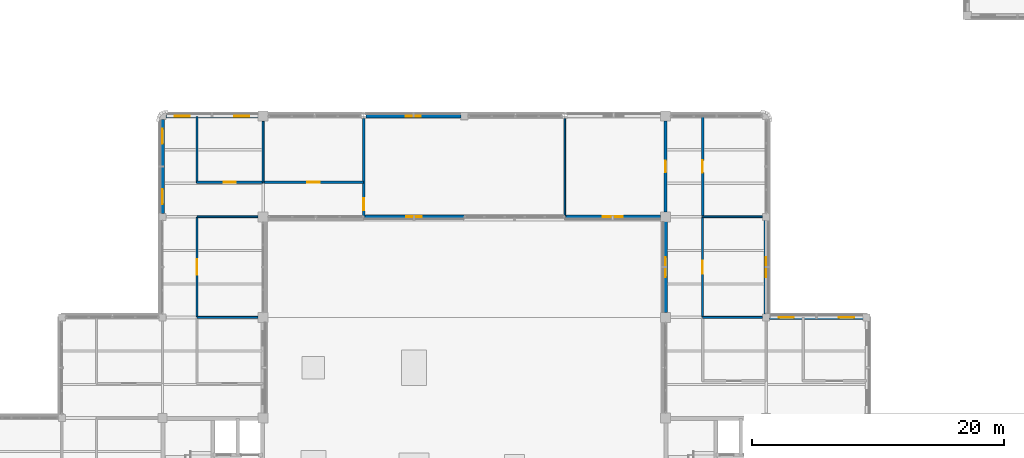
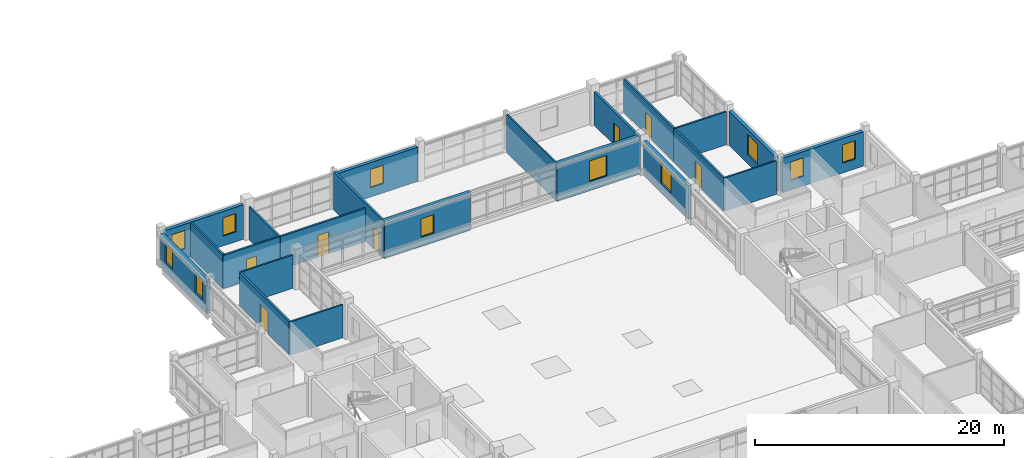
# One storey, part 81 of 107: 22 walls, 11 windows, 7 doors, 18 openings.
"""IFC4 building model written with IfcOpenShell, lengths in metres."""

from ifc_helpers import new_model, si_unit, derived_unit, direction, frame, frame_2d, origin, place, context, subcontext, project, spatial, rectangle, extrude, material, layer, layer_set, type_object, element, fill, save


model = new_model("IFC4")

# Units and contexts
model_context = context("Model", 3, precision=1e-05, world=origin(), true_north=direction((0.0, 1.0)))
body_context = subcontext(model_context, "Body", "Model", "MODEL_VIEW")
ifc_project = project(units=[si_unit("LENGTHUNIT", "METRE"), si_unit("AREAUNIT", "SQUARE_METRE"), si_unit("VOLUMEUNIT", "CUBIC_METRE"), si_unit("PLANEANGLEUNIT", "RADIAN"), si_unit("MASSUNIT", "GRAM", prefix="KILO"), derived_unit("THERMALTRANSMITTANCEUNIT", [(si_unit("MASSUNIT", "GRAM", prefix="KILO"), 1), (si_unit("TIMEUNIT", "SECOND"), -3), (si_unit("THERMODYNAMICTEMPERATUREUNIT", "KELVIN"), -1)])], contexts=[model_context])

# Site, building, storey
site_placement = place(None, origin())
site = spatial("IfcSite", under=ifc_project, at=site_placement, CompositionType="ELEMENT")
building_placement = place(site_placement, origin())
building = spatial("IfcBuilding", under=site, at=building_placement, Name="Veyamyaing Civic Hall", CompositionType="ELEMENT")
storey_placement = place(building_placement, frame((0.0, 0.0, 13.860107421875)))
storey = spatial("IfcBuildingStorey", under=building, at=storey_placement, Name="L03", CompositionType="ELEMENT", Elevation=13.860107421875)

# Wall, openings, windows
ifc_material_1 = material(Name="Precast concrete C40/50", Category="concrete")
ifc_layer_1 = layer(ifc_material_1, 0.304931640625, Name="Precast concrete C40/50")
ifc_layer_set_1 = layer_set([ifc_layer_1], Name="Precast concrete C40/50")
wall_type_1 = type_object("IfcWallType", Name="WT-03", PredefinedType="SOLIDWALL", material=ifc_layer_set_1)
wall_1_placement = place(storey_placement, frame((64.260009765625, 80.0, 0.0), z_axis=(0.0, 0.0, 1.0), x_axis=(1.0, 0.0, 0.0)))
wall_1 = element("IfcWall", 1, at=wall_1_placement, inside=storey, type_object=wall_type_1, Name="Exterior facade wall WT-03 L03 N 9.10", PredefinedType="SOLIDWALL", context=body_context, shape_type="SweptSolid", body=[
    extrude(rectangle(XDim=7.35498046875, YDim=0.304931640625, at=frame_2d((3.677490234375, 0.0))), origin(), (0.0, 0.0, 1.0), 3.364013671875),
])
opening_1_placement = place(wall_1_placement, frame((0.723876953125, 0.0, 0.949951171875)))
opening_1 = element("IfcOpeningElement", 2, at=opening_1_placement, cuts=wall_1, Name="Opening W-14", PredefinedType="OPENING", context=body_context, shape_type="SweptSolid", body=[
    extrude(rectangle(XDim=1.199951171875, YDim=1.800048828125, at=frame_2d((0.60009765625, 0.89990234375))), frame((0.0, 0.162353515625, 0.0), z_axis=(0.0, -1.0, 0.0), x_axis=(1.0, 0.0, 0.0)), (0.0, 0.0, 1.0), 0.324951171875),
])
opening_2_placement = place(wall_1_placement, frame((5.43115234375, 0.0, 0.949951171875)))
opening_2 = element("IfcOpeningElement", 3, at=opening_2_placement, cuts=wall_1, Name="Opening W-14", PredefinedType="OPENING", context=body_context, shape_type="SweptSolid", body=[
    extrude(rectangle(XDim=1.199951171875, YDim=1.800048828125, at=frame_2d((0.60009765625, 0.89990234375))), frame((0.0, 0.162353515625, 0.0), z_axis=(0.0, -1.0, 0.0), x_axis=(1.0, 0.0, 0.0)), (0.0, 0.0, 1.0), 0.324951171875),
])
ifc_material_2 = material(Name="Low-E insulated glass", Category="glass")
window_type_1 = type_object("IfcWindowType", Name="W-14", PartitioningType="SINGLE_PANEL", PredefinedType="WINDOW", material=ifc_material_2)
window_1_placement = place(opening_1_placement, origin())
window_1 = element("IfcWindow", 4, at=window_1_placement, inside=storey, type_object=window_type_1, Name="Facade window W-14 L03 N 9.10.1", OverallHeight=1.800048828125, OverallWidth=1.199951171875, PartitioningType="SINGLE_PANEL", PredefinedType="WINDOW", context=body_context, shape_type="SweptSolid", body=[
    extrude(rectangle(XDim=1.199951171875, YDim=1.800048828125, at=frame_2d((0.60009765625, 0.89990234375))), frame((0.0, 0.030029296875, 0.0), z_axis=(0.0, -1.0, 0.0), x_axis=(1.0, 0.0, 0.0)), (0.0, 0.0, 1.0), 0.06005859375),
])
fill(opening_1, window_1)
window_2_placement = place(opening_2_placement, origin())
window_2 = element("IfcWindow", 5, at=window_2_placement, inside=storey, type_object=window_type_1, Name="Facade window W-14 L03 N 9.10.2", OverallHeight=1.800048828125, OverallWidth=1.199951171875, PartitioningType="SINGLE_PANEL", PredefinedType="WINDOW", context=body_context, shape_type="SweptSolid", body=[
    extrude(rectangle(XDim=1.199951171875, YDim=1.800048828125, at=frame_2d((0.60009765625, 0.89990234375))), frame((0.0, 0.030029296875, 0.0), z_axis=(0.0, -1.0, 0.0), x_axis=(1.0, 0.0, 0.0)), (0.0, 0.0, 1.0), 0.06005859375),
])
fill(opening_2, window_2)

wall_2_placement = place(storey_placement, frame((64.0, 72.260009765625, 0.0), z_axis=(0.0, 0.0, 1.0), x_axis=(0.0, 1.0, 0.0)))
wall_2 = element("IfcWall", 6, at=wall_2_placement, inside=storey, type_object=wall_type_1, Name="Exterior facade wall WT-03 L03 W 9.10", PredefinedType="SOLIDWALL", context=body_context, shape_type="SweptSolid", body=[
    extrude(rectangle(XDim=7.47998046875, YDim=0.304931640625, at=frame_2d((3.739990234375, 0.0))), origin(), (0.0, 0.0, 1.0), 3.2998046875),
])
opening_3_placement = place(wall_2_placement, frame((0.746337890625, 0.0, 0.949951171875)))
opening_3 = element("IfcOpeningElement", 7, at=opening_3_placement, cuts=wall_2, Name="Opening W-14", PredefinedType="OPENING", context=body_context, shape_type="SweptSolid", body=[
    extrude(rectangle(XDim=1.199951171875, YDim=1.800048828125, at=frame_2d((0.60009765625, 0.89990234375))), frame((0.0, 0.162353515625, 0.0), z_axis=(0.0, -1.0, 0.0), x_axis=(1.0, 0.0, 0.0)), (0.0, 0.0, 1.0), 0.324951171875),
])
opening_4_placement = place(wall_2_placement, frame((5.53369140625, 0.0, 0.949951171875)))
opening_4 = element("IfcOpeningElement", 8, at=opening_4_placement, cuts=wall_2, Name="Opening W-14", PredefinedType="OPENING", context=body_context, shape_type="SweptSolid", body=[
    extrude(rectangle(XDim=1.199951171875, YDim=1.800048828125, at=frame_2d((0.60009765625, 0.89990234375))), frame((0.0, 0.162353515625, 0.0), z_axis=(0.0, -1.0, 0.0), x_axis=(1.0, 0.0, 0.0)), (0.0, 0.0, 1.0), 0.324951171875),
])
window_3_placement = place(opening_3_placement, origin())
window_3 = element("IfcWindow", 9, at=window_3_placement, inside=storey, type_object=window_type_1, Name="Facade window W-14 L03 W 9.10.1", OverallHeight=1.800048828125, OverallWidth=1.199951171875, PartitioningType="SINGLE_PANEL", PredefinedType="WINDOW", context=body_context, shape_type="SweptSolid", body=[
    extrude(rectangle(XDim=1.199951171875, YDim=1.800048828125, at=frame_2d((0.60009765625, 0.89990234375))), frame((0.0, 0.030029296875, 0.0), z_axis=(0.0, -1.0, 0.0), x_axis=(1.0, 0.0, 0.0)), (0.0, 0.0, 1.0), 0.06005859375),
])
fill(opening_3, window_3)
window_4_placement = place(opening_4_placement, origin())
window_4 = element("IfcWindow", 10, at=window_4_placement, inside=storey, type_object=window_type_1, Name="Facade window W-14 L03 W 9.10.2", OverallHeight=1.800048828125, OverallWidth=1.199951171875, PartitioningType="SINGLE_PANEL", PredefinedType="WINDOW", context=body_context, shape_type="SweptSolid", body=[
    extrude(rectangle(XDim=1.199951171875, YDim=1.800048828125, at=frame_2d((0.60009765625, 0.89990234375))), frame((0.0, 0.030029296875, 0.0), z_axis=(0.0, -1.0, 0.0), x_axis=(1.0, 0.0, 0.0)), (0.0, 0.0, 1.0), 0.06005859375),
])
fill(opening_4, window_4)

# Wall, opening, window
wall_3_placement = place(storey_placement, frame((80.0, 72.0, 0.0), z_axis=(0.0, 0.0, 1.0), x_axis=(1.0, 0.0, 0.0)))
wall_3 = element("IfcWall", 11, at=wall_3_placement, inside=storey, type_object=wall_type_1, Name="Exterior facade wall WT-03 L03 S 11.10", PredefinedType="SOLIDWALL", context=body_context, shape_type="SweptSolid", body=[
    extrude(rectangle(XDim=8.0, YDim=0.304931640625, at=frame_2d((4.0, 0.0))), origin(), (0.0, 0.0, 1.0), 3.724853515625),
])
opening_5_placement = place(wall_3_placement, frame((3.39990234375, 0.0, 0.89990234375)))
opening_5 = element("IfcOpeningElement", 12, at=opening_5_placement, cuts=wall_3, Name="Opening W-14", PredefinedType="OPENING", context=body_context, shape_type="SweptSolid", body=[
    extrude(rectangle(XDim=1.199951171875, YDim=1.800048828125, at=frame_2d((0.60009765625, 0.89990234375))), frame((0.0, 0.162353515625, 0.0), z_axis=(0.0, -1.0, 0.0), x_axis=(1.0, 0.0, 0.0)), (0.0, 0.0, 1.0), 0.324951171875),
])
window_5_placement = place(opening_5_placement, origin())
window_5 = element("IfcWindow", 13, at=window_5_placement, inside=storey, type_object=window_type_1, Name="Facade window W-14 L03 S 11.10", OverallHeight=1.800048828125, OverallWidth=1.199951171875, PartitioningType="SINGLE_PANEL", PredefinedType="WINDOW", context=body_context, shape_type="SweptSolid", body=[
    extrude(rectangle(XDim=1.199951171875, YDim=1.800048828125, at=frame_2d((0.60009765625, 0.89990234375))), frame((0.0, 0.030029296875, 0.0), z_axis=(0.0, -1.0, 0.0), x_axis=(1.0, 0.0, 0.0)), (0.0, 0.0, 1.0), 0.06005859375),
])
fill(opening_5, window_5)

wall_4_placement = place(storey_placement, frame((80.16943359375, 80.0, 0.0), z_axis=(0.0, 0.0, 1.0), x_axis=(1.0, 0.0, 0.0)))
wall_4 = element("IfcWall", 14, at=wall_4_placement, inside=storey, type_object=wall_type_1, Name="Exterior facade wall WT-03 L03 N 11.10", PredefinedType="SOLIDWALL", context=body_context, shape_type="SweptSolid", body=[
    extrude(rectangle(XDim=7.570556640625, YDim=0.304931640625, at=frame_2d((3.78515625, 0.0))), origin(), (0.0, 0.0, 1.0), 3.36181640625),
])
opening_6_placement = place(wall_4_placement, frame((3.185302734375, 0.0, 0.89990234375)))
opening_6 = element("IfcOpeningElement", 15, at=opening_6_placement, cuts=wall_4, Name="Opening W-14", PredefinedType="OPENING", context=body_context, shape_type="SweptSolid", body=[
    extrude(rectangle(XDim=1.199951171875, YDim=1.800048828125, at=frame_2d((0.60009765625, 0.89990234375))), frame((0.0, 0.162353515625, 0.0), z_axis=(0.0, -1.0, 0.0), x_axis=(1.0, 0.0, 0.0)), (0.0, 0.0, 1.0), 0.324951171875),
])
window_6_placement = place(opening_6_placement, origin())
window_6 = element("IfcWindow", 16, at=window_6_placement, inside=storey, type_object=window_type_1, Name="Facade window W-14 L03 N 11.10", OverallHeight=1.800048828125, OverallWidth=1.199951171875, PartitioningType="SINGLE_PANEL", PredefinedType="WINDOW", context=body_context, shape_type="SweptSolid", body=[
    extrude(rectangle(XDim=1.199951171875, YDim=1.800048828125, at=frame_2d((0.60009765625, 0.89990234375))), frame((0.0, 0.030029296875, 0.0), z_axis=(0.0, -1.0, 0.0), x_axis=(1.0, 0.0, 0.0)), (0.0, 0.0, 1.0), 0.06005859375),
])
fill(opening_6, window_6)

wall_5_placement = place(storey_placement, frame((96.0, 72.0, 0.0), z_axis=(0.0, 0.0, 1.0), x_axis=(1.0, 0.0, 0.0)))
wall_5 = element("IfcWall", 17, at=wall_5_placement, inside=storey, type_object=wall_type_1, Name="Exterior facade wall WT-03 L03 S 13.10", PredefinedType="SOLIDWALL", context=body_context, shape_type="SweptSolid", body=[
    extrude(rectangle(XDim=7.614990234375, YDim=0.304931640625, at=frame_2d((3.8076171875, 0.0))), origin(), (0.0, 0.0, 1.0), 3.724853515625),
])
opening_7_placement = place(wall_5_placement, frame((3.007568359375, 0.0, 0.89990234375)))
opening_7 = element("IfcOpeningElement", 18, at=opening_7_placement, cuts=wall_5, Name="Opening W-11", PredefinedType="OPENING", context=body_context, shape_type="SweptSolid", body=[
    extrude(rectangle(XDim=1.60009765625, YDim=2.0, at=frame_2d((0.800048828125, 1.0))), frame((0.0, 0.162353515625, 0.0), z_axis=(0.0, -1.0, 0.0), x_axis=(1.0, 0.0, 0.0)), (0.0, 0.0, 1.0), 0.324951171875),
])
window_type_2 = type_object("IfcWindowType", Name="W-11", PartitioningType="SINGLE_PANEL", PredefinedType="WINDOW", material=ifc_material_2)
window_7_placement = place(opening_7_placement, origin())
window_7 = element("IfcWindow", 19, at=window_7_placement, inside=storey, type_object=window_type_2, Name="Facade window W-11 L03 S 13.10", OverallHeight=2.0, OverallWidth=1.60009765625, PartitioningType="SINGLE_PANEL", PredefinedType="WINDOW", context=body_context, shape_type="SweptSolid", body=[
    extrude(rectangle(XDim=1.60009765625, YDim=2.0, at=frame_2d((0.800048828125, 1.0))), frame((0.0, 0.030029296875, 0.0), z_axis=(0.0, -1.0, 0.0), x_axis=(1.0, 0.0, 0.0)), (0.0, 0.0, 1.0), 0.06005859375),
])
fill(opening_7, window_7)

wall_6_placement = place(storey_placement, frame((104.0, 64.385009765625, 0.0), z_axis=(0.0, 0.0, 1.0), x_axis=(0.0, 1.0, 0.0)))
wall_6 = element("IfcWall", 20, at=wall_6_placement, inside=storey, type_object=wall_type_1, Name="Exterior facade wall WT-03 L03 W 14.9", PredefinedType="SOLIDWALL", context=body_context, shape_type="SweptSolid", body=[
    extrude(rectangle(XDim=7.22998046875, YDim=0.304931640625, at=frame_2d((3.614990234375, 0.0))), origin(), (0.0, 0.0, 1.0), 3.2998046875),
])
opening_8_placement = place(wall_6_placement, frame((2.81494140625, 0.0, 0.89990234375)))
opening_8 = element("IfcOpeningElement", 21, at=opening_8_placement, cuts=wall_6, Name="Opening W-11", PredefinedType="OPENING", context=body_context, shape_type="SweptSolid", body=[
    extrude(rectangle(XDim=1.60009765625, YDim=2.0, at=frame_2d((0.800048828125, 1.0))), frame((0.0, 0.162353515625, 0.0), z_axis=(0.0, -1.0, 0.0), x_axis=(1.0, 0.0, 0.0)), (0.0, 0.0, 1.0), 0.324951171875),
])
window_8_placement = place(opening_8_placement, origin())
window_8 = element("IfcWindow", 22, at=window_8_placement, inside=storey, type_object=window_type_2, Name="Facade window W-11 L03 W 14.9", OverallHeight=2.0, OverallWidth=1.60009765625, PartitioningType="SINGLE_PANEL", PredefinedType="WINDOW", context=body_context, shape_type="SweptSolid", body=[
    extrude(rectangle(XDim=1.60009765625, YDim=2.0, at=frame_2d((0.800048828125, 1.0))), frame((0.0, 0.030029296875, 0.0), z_axis=(0.0, -1.0, 0.0), x_axis=(1.0, 0.0, 0.0)), (0.0, 0.0, 1.0), 0.06005859375),
])
fill(opening_8, window_8)

wall_7_placement = place(storey_placement, frame((112.0, 64.260009765625, 0.0), z_axis=(0.0, 0.0, 1.0), x_axis=(0.0, 1.0, 0.0)))
wall_7 = element("IfcWall", 23, at=wall_7_placement, inside=storey, type_object=wall_type_1, Name="Exterior facade wall WT-03 L03 E 14.9", PredefinedType="SOLIDWALL", context=body_context, shape_type="SweptSolid", body=[
    extrude(rectangle(XDim=7.47998046875, YDim=0.304931640625, at=frame_2d((3.739990234375, 0.0))), origin(), (0.0, 0.0, 1.0), 3.364013671875),
])
opening_9_placement = place(wall_7_placement, frame((2.93994140625, 0.0, 0.89990234375)))
opening_9 = element("IfcOpeningElement", 24, at=opening_9_placement, cuts=wall_7, Name="Opening W-11", PredefinedType="OPENING", context=body_context, shape_type="SweptSolid", body=[
    extrude(rectangle(XDim=1.60009765625, YDim=2.0, at=frame_2d((0.800048828125, 1.0))), frame((0.0, 0.162353515625, 0.0), z_axis=(0.0, -1.0, 0.0), x_axis=(1.0, 0.0, 0.0)), (0.0, 0.0, 1.0), 0.324951171875),
])
window_9_placement = place(opening_9_placement, origin())
window_9 = element("IfcWindow", 25, at=window_9_placement, inside=storey, type_object=window_type_2, Name="Facade window W-11 L03 E 14.9", OverallHeight=2.0, OverallWidth=1.60009765625, PartitioningType="SINGLE_PANEL", PredefinedType="WINDOW", context=body_context, shape_type="SweptSolid", body=[
    extrude(rectangle(XDim=1.60009765625, YDim=2.0, at=frame_2d((0.800048828125, 1.0))), frame((0.0, 0.030029296875, 0.0), z_axis=(0.0, -1.0, 0.0), x_axis=(1.0, 0.0, 0.0)), (0.0, 0.0, 1.0), 0.06005859375),
])
fill(opening_9, window_9)

# Wall, openings, windows
wall_8_placement = place(storey_placement, frame((112.260009765625, 64.0, 0.0), z_axis=(0.0, 0.0, 1.0), x_axis=(1.0, 0.0, 0.0)))
wall_8 = element("IfcWall", 26, at=wall_8_placement, inside=storey, type_object=wall_type_1, Name="Exterior facade wall WT-03 L03 N 15.8", PredefinedType="SOLIDWALL", context=body_context, shape_type="SweptSolid", body=[
    extrude(rectangle(XDim=7.47998046875, YDim=0.304931640625, at=frame_2d((3.739990234375, 0.0))), origin(), (0.0, 0.0, 1.0), 3.364013671875),
])
opening_10_placement = place(wall_8_placement, frame((0.746337890625, 0.0, 0.949951171875)))
opening_10 = element("IfcOpeningElement", 27, at=opening_10_placement, cuts=wall_8, Name="Opening W-14", PredefinedType="OPENING", context=body_context, shape_type="SweptSolid", body=[
    extrude(rectangle(XDim=1.199951171875, YDim=1.800048828125, at=frame_2d((0.60009765625, 0.89990234375))), frame((0.0, 0.162353515625, 0.0), z_axis=(0.0, -1.0, 0.0), x_axis=(1.0, 0.0, 0.0)), (0.0, 0.0, 1.0), 0.324951171875),
])
opening_11_placement = place(wall_8_placement, frame((5.53369140625, 0.0, 0.949951171875)))
opening_11 = element("IfcOpeningElement", 28, at=opening_11_placement, cuts=wall_8, Name="Opening W-14", PredefinedType="OPENING", context=body_context, shape_type="SweptSolid", body=[
    extrude(rectangle(XDim=1.199951171875, YDim=1.800048828125, at=frame_2d((0.60009765625, 0.89990234375))), frame((0.0, 0.162353515625, 0.0), z_axis=(0.0, -1.0, 0.0), x_axis=(1.0, 0.0, 0.0)), (0.0, 0.0, 1.0), 0.324951171875),
])
window_10_placement = place(opening_10_placement, origin())
window_10 = element("IfcWindow", 29, at=window_10_placement, inside=storey, type_object=window_type_1, Name="Facade window W-14 L03 N 15.8.1", OverallHeight=1.800048828125, OverallWidth=1.199951171875, PartitioningType="SINGLE_PANEL", PredefinedType="WINDOW", context=body_context, shape_type="SweptSolid", body=[
    extrude(rectangle(XDim=1.199951171875, YDim=1.800048828125, at=frame_2d((0.60009765625, 0.89990234375))), frame((0.0, 0.030029296875, 0.0), z_axis=(0.0, -1.0, 0.0), x_axis=(1.0, 0.0, 0.0)), (0.0, 0.0, 1.0), 0.06005859375),
])
fill(opening_10, window_10)
window_11_placement = place(opening_11_placement, origin())
window_11 = element("IfcWindow", 30, at=window_11_placement, inside=storey, type_object=window_type_1, Name="Facade window W-14 L03 N 15.8.2", OverallHeight=1.800048828125, OverallWidth=1.199951171875, PartitioningType="SINGLE_PANEL", PredefinedType="WINDOW", context=body_context, shape_type="SweptSolid", body=[
    extrude(rectangle(XDim=1.199951171875, YDim=1.800048828125, at=frame_2d((0.60009765625, 0.89990234375))), frame((0.0, 0.030029296875, 0.0), z_axis=(0.0, -1.0, 0.0), x_axis=(1.0, 0.0, 0.0)), (0.0, 0.0, 1.0), 0.06005859375),
])
fill(opening_11, window_11)

# Wall, opening, door
ifc_material_3 = material(Name="Concrete C40/50", Category="concrete")
ifc_layer_2 = layer(ifc_material_3, 0.199951171875, Name="Concrete C40/50")
ifc_layer_set_2 = layer_set([ifc_layer_2], Name="Concrete C40/50")
wall_type_2 = type_object("IfcWallType", Name="WT-06", PredefinedType="PARTITIONING", material=ifc_layer_set_2)
wall_9_placement = place(storey_placement, frame((80.0, 72.0, 0.0), z_axis=(0.0, 0.0, 1.0), x_axis=(0.0, 1.0, 0.0)))
wall_9 = element("IfcWall", 31, at=wall_9_placement, inside=storey, type_object=wall_type_2, Name="Interior partition wall WT-06 L03.15", PredefinedType="PARTITIONING", context=body_context, shape_type="SweptSolid", body=[
    extrude(rectangle(XDim=7.83203125, YDim=0.199951171875, at=frame_2d((3.916015625, 0.0))), origin(), (0.0, 0.0, 1.0), 3.71484375),
])
opening_12_placement = place(wall_9_placement, frame((0.52001953125, 0.0, 0.0)))
opening_12 = element("IfcOpeningElement", 32, at=opening_12_placement, cuts=wall_9, Name="Opening D-30", PredefinedType="OPENING", context=body_context, shape_type="SweptSolid", body=[
    extrude(rectangle(XDim=0.93994140625, YDim=2.1201171875, at=frame_2d((0.469970703125, 1.06005859375))), frame((0.0, 0.10986328125, 0.0), z_axis=(0.0, -1.0, 0.0), x_axis=(1.0, 0.0, 0.0)), (0.0, 0.0, 1.0), 0.219970703125),
])
ifc_material_4 = material(Name="Teak-veneered acoustic timber", Category="wood")
door_type_1 = type_object("IfcDoorType", Name="D-30", OperationType="NOTDEFINED", PredefinedType="DOOR", material=ifc_material_4)
door_1_placement = place(opening_12_placement, frame((0.93994140625, 0.0, 0.0), z_axis=(0.0, 0.0, 1.0), x_axis=(-1.0, 0.0, 0.0)))
door_1 = element("IfcDoor", 33, at=door_1_placement, inside=storey, type_object=door_type_1, Name="Interior door D-30 L03.15", OperationType="SINGLE_SWING_RIGHT", OverallHeight=2.1201171875, OverallWidth=0.93994140625, PredefinedType="DOOR", context=body_context, shape_type="SweptSolid", body=[
    extrude(rectangle(XDim=0.93994140625, YDim=2.1201171875, at=frame_2d((0.469970703125, 1.06005859375))), frame((0.0, 0.02490234375, 0.0), z_axis=(0.0, -1.0, 0.0), x_axis=(1.0, 0.0, 0.0)), (0.0, 0.0, 1.0), 0.050048828125),
])
fill(opening_12, door_1)

wall_10_placement = place(storey_placement, frame((104.0, 72.389892578125, 0.0), z_axis=(0.0, 0.0, 1.0), x_axis=(0.0, 1.0, 0.0)))
wall_10 = element("IfcWall", 34, at=wall_10_placement, inside=storey, type_object=wall_type_2, Name="Interior partition wall WT-06 L03.19", PredefinedType="PARTITIONING", context=body_context, shape_type="SweptSolid", body=[
    extrude(rectangle(XDim=7.22021484375, YDim=0.199951171875, at=frame_2d((3.610107421875, 0.0))), origin(), (0.0, 0.0, 1.0), 3.247802734375),
])
opening_13_placement = place(wall_10_placement, frame((3.14990234375, 0.0, 0.0)))
opening_13 = element("IfcOpeningElement", 35, at=opening_13_placement, cuts=wall_10, Name="Opening D-16", PredefinedType="OPENING", context=body_context, shape_type="SweptSolid", body=[
    extrude(rectangle(XDim=0.919921875, YDim=2.10009765625, at=frame_2d((0.4599609375, 1.050048828125))), frame((0.0, 0.10986328125, 0.0), z_axis=(0.0, -1.0, 0.0), x_axis=(1.0, 0.0, 0.0)), (0.0, 0.0, 1.0), 0.219970703125),
])
door_type_2 = type_object("IfcDoorType", Name="D-16", OperationType="NOTDEFINED", PredefinedType="DOOR", material=ifc_material_4)
door_2_placement = place(opening_13_placement, origin())
door_2 = element("IfcDoor", 36, at=door_2_placement, inside=storey, type_object=door_type_2, Name="Interior door D-16 L03.19", OperationType="SINGLE_SWING_RIGHT", OverallHeight=2.10009765625, OverallWidth=0.919921875, PredefinedType="DOOR", context=body_context, shape_type="SweptSolid", body=[
    extrude(rectangle(XDim=0.919921875, YDim=2.10009765625, at=frame_2d((0.4599609375, 1.050048828125))), frame((0.0, 0.02490234375, 0.0), z_axis=(0.0, -1.0, 0.0), x_axis=(1.0, 0.0, 0.0)), (0.0, 0.0, 1.0), 0.050048828125),
])
fill(opening_13, door_2)

ifc_material_5 = material(Name="Gypsum board on acoustic steel stud", Category="steel")
ifc_layer_3 = layer(ifc_material_5, 0.175048828125, Name="Gypsum board on acoustic steel stud")
ifc_layer_set_3 = layer_set([ifc_layer_3], Name="Gypsum board on acoustic steel stud")
wall_type_3 = type_object("IfcWallType", Name="WT-07", PredefinedType="PARTITIONING", material=ifc_layer_set_3)
wall_11_placement = place(storey_placement, frame((66.699951171875, 74.75, 0.0), z_axis=(0.0, 0.0, 1.0), x_axis=(1.0, 0.0, 0.0)))
wall_11 = element("IfcWall", 37, at=wall_11_placement, inside=storey, type_object=wall_type_3, Name="Corridor gallery partition WT-07 L03.25.1", PredefinedType="PARTITIONING", context=body_context, shape_type="SweptSolid", body=[
    extrude(rectangle(XDim=5.280029296875, YDim=0.175048828125, at=frame_2d((2.64013671875, 0.0))), origin(), (0.0, 0.0, 1.0), 3.241943359375),
])
opening_14_placement = place(wall_11_placement, frame((2.169921875, 0.0, 0.0)))
opening_14 = element("IfcOpeningElement", 38, at=opening_14_placement, cuts=wall_11, Name="Opening D-30", PredefinedType="OPENING", context=body_context, shape_type="SweptSolid", body=[
    extrude(rectangle(XDim=0.93994140625, YDim=2.1201171875, at=frame_2d((0.469970703125, 1.06005859375))), frame((0.0, 0.097412109375, 0.0), z_axis=(0.0, -1.0, 0.0), x_axis=(1.0, 0.0, 0.0)), (0.0, 0.0, 1.0), 0.195068359375),
])
door_3_placement = place(opening_14_placement, origin())
door_3 = element("IfcDoor", 39, at=door_3_placement, inside=storey, type_object=door_type_1, Name="Gallery office door D-30 L03.25", OperationType="SINGLE_SWING_LEFT", OverallHeight=2.1201171875, OverallWidth=0.93994140625, PredefinedType="DOOR", context=body_context, shape_type="SweptSolid", body=[
    extrude(rectangle(XDim=0.93994140625, YDim=2.1201171875, at=frame_2d((0.469970703125, 1.06005859375))), frame((0.0, 0.02490234375, 0.0), z_axis=(0.0, -1.0, 0.0), x_axis=(1.0, 0.0, 0.0)), (0.0, 0.0, 1.0), 0.050048828125),
])
fill(opening_14, door_3)

# Wall
wall_12_placement = place(storey_placement, frame((66.75, 74.699951171875, 0.0), z_axis=(0.0, 0.0, 1.0), x_axis=(0.0, 1.0, 0.0)))
element("IfcWall", 40, at=wall_12_placement, inside=storey, type_object=wall_type_3, Name="Corridor gallery partition WT-07 L03.25.2", PredefinedType="PARTITIONING", context=body_context, shape_type="SweptSolid", body=[
    extrude(rectangle(XDim=5.280029296875, YDim=0.175048828125, at=frame_2d((2.64013671875, 0.0))), origin(), (0.0, 0.0, 1.0), 3.35693359375),
])

# Wall, opening, door
wall_13_placement = place(storey_placement, frame((72.02001953125, 74.75, 0.0), z_axis=(0.0, 0.0, 1.0), x_axis=(1.0, 0.0, 0.0)))
wall_13 = element("IfcWall", 41, at=wall_13_placement, inside=storey, type_object=wall_type_3, Name="Corridor gallery partition WT-07 L03.27.1", PredefinedType="PARTITIONING", context=body_context, shape_type="SweptSolid", body=[
    extrude(rectangle(XDim=7.9599609375, YDim=0.175048828125, at=frame_2d((3.97998046875, 0.0))), origin(), (0.0, 0.0, 1.0), 3.241943359375),
])
opening_15_placement = place(wall_13_placement, frame((3.47998046875, 0.0, 0.0)))
opening_15 = element("IfcOpeningElement", 42, at=opening_15_placement, cuts=wall_13, Name="Opening D-13", PredefinedType="OPENING", context=body_context, shape_type="SweptSolid", body=[
    extrude(rectangle(XDim=1.0, YDim=2.14990234375, at=frame_2d((0.5, 1.074951171875))), frame((0.0, 0.097412109375, 0.0), z_axis=(0.0, -1.0, 0.0), x_axis=(1.0, 0.0, 0.0)), (0.0, 0.0, 1.0), 0.195068359375),
])
door_type_3 = type_object("IfcDoorType", Name="D-13", OperationType="NOTDEFINED", PredefinedType="DOOR", material=ifc_material_4)
door_4_placement = place(opening_15_placement, origin())
door_4 = element("IfcDoor", 43, at=door_4_placement, inside=storey, type_object=door_type_3, Name="Gallery office door D-13 L03.27", OperationType="SINGLE_SWING_LEFT", OverallHeight=2.14990234375, OverallWidth=1.0, PredefinedType="DOOR", context=body_context, shape_type="SweptSolid", body=[
    extrude(rectangle(XDim=1.0, YDim=2.14990234375, at=frame_2d((0.5, 1.074951171875))), frame((0.0, 0.02490234375, 0.0), z_axis=(0.0, -1.0, 0.0), x_axis=(1.0, 0.0, 0.0)), (0.0, 0.0, 1.0), 0.050048828125),
])
fill(opening_15, door_4)

wall_14_placement = place(storey_placement, frame((106.949951171875, 64.02001953125, 0.0), z_axis=(0.0, 0.0, 1.0), x_axis=(0.0, 1.0, 0.0)))
wall_14 = element("IfcWall", 44, at=wall_14_placement, inside=storey, type_object=wall_type_3, Name="Corridor gallery partition WT-07 L03.31.1", PredefinedType="PARTITIONING", context=body_context, shape_type="SweptSolid", body=[
    extrude(rectangle(XDim=7.9599609375, YDim=0.175048828125, at=frame_2d((3.97998046875, 0.0))), origin(), (0.0, 0.0, 1.0), 3.240966796875),
])
opening_16_placement = place(wall_14_placement, frame((3.4599609375, 0.0, 0.0)))
opening_16 = element("IfcOpeningElement", 45, at=opening_16_placement, cuts=wall_14, Name="Opening D-24", PredefinedType="OPENING", context=body_context, shape_type="SweptSolid", body=[
    extrude(rectangle(XDim=1.0400390625, YDim=2.179931640625, at=frame_2d((0.52001953125, 1.08984375))), frame((0.0, 0.097412109375, 0.0), z_axis=(0.0, -1.0, 0.0), x_axis=(1.0, 0.0, 0.0)), (0.0, 0.0, 1.0), 0.195068359375),
])
door_type_4 = type_object("IfcDoorType", Name="D-24", OperationType="NOTDEFINED", PredefinedType="DOOR", material=ifc_material_4)
door_5_placement = place(opening_16_placement, frame((1.0400390625, 0.0, 0.0), z_axis=(0.0, 0.0, 1.0), x_axis=(-1.0, 0.0, 0.0)))
door_5 = element("IfcDoor", 46, at=door_5_placement, inside=storey, type_object=door_type_4, Name="Gallery office door D-24 L03.31", OperationType="SINGLE_SWING_LEFT", OverallHeight=2.179931640625, OverallWidth=1.0400390625, PredefinedType="DOOR", context=body_context, shape_type="SweptSolid", body=[
    extrude(rectangle(XDim=1.0400390625, YDim=2.179931640625, at=frame_2d((0.52001953125, 1.08984375))), frame((0.0, 0.02490234375, 0.0), z_axis=(0.0, -1.0, 0.0), x_axis=(1.0, 0.0, 0.0)), (0.0, 0.0, 1.0), 0.050048828125),
])
fill(opening_16, door_5)

# Walls
ifc_material_6 = material(Name="Gypsum board on steel stud", Category="steel")
ifc_layer_4 = layer(ifc_material_6, 0.14990234375, Name="Gypsum board on steel stud")
ifc_layer_set_4 = layer_set([ifc_layer_4], Name="Gypsum board on steel stud")
wall_type_4 = type_object("IfcWallType", Name="WT-08", PredefinedType="PARTITIONING", material=ifc_layer_set_4)
wall_15_placement = place(storey_placement, frame((66.75, 64.0, 0.0), z_axis=(0.0, 0.0, 1.0), x_axis=(1.0, 0.0, 0.0)))
element("IfcWall", 47, at=wall_15_placement, inside=storey, type_object=wall_type_4, Name="Gallery office end partition WT-08 L03.23.1", PredefinedType="PARTITIONING", context=body_context, shape_type="SweptSolid", body=[
    extrude(rectangle(XDim=4.840087890625, YDim=0.14990234375, at=frame_2d((2.419921875, 0.0))), origin(), (0.0, 0.0, 1.0), 3.246826171875),
])
wall_16_placement = place(storey_placement, frame((66.75, 72.0, 0.0), z_axis=(0.0, 0.0, 1.0), x_axis=(1.0, 0.0, 0.0)))
element("IfcWall", 48, at=wall_16_placement, inside=storey, type_object=wall_type_4, Name="Gallery office end partition WT-08 L03.24.2", PredefinedType="PARTITIONING", context=body_context, shape_type="SweptSolid", body=[
    extrude(rectangle(XDim=4.840087890625, YDim=0.14990234375, at=frame_2d((2.419921875, 0.0))), origin(), (0.0, 0.0, 1.0), 3.2529296875),
])
wall_17_placement = place(storey_placement, frame((72.0, 74.75, 0.0), z_axis=(0.0, 0.0, 1.0), x_axis=(0.0, 1.0, 0.0)))
element("IfcWall", 49, at=wall_17_placement, inside=storey, type_object=wall_type_4, Name="Gallery office end partition WT-08 L03.25.2", PredefinedType="PARTITIONING", context=body_context, shape_type="SweptSolid", body=[
    extrude(rectangle(XDim=4.840087890625, YDim=0.14990234375, at=frame_2d((2.419921875, 0.0))), origin(), (0.0, 0.0, 1.0), 3.241943359375),
])
wall_18_placement = place(storey_placement, frame((106.949951171875, 64.0, 0.0), z_axis=(0.0, 0.0, 1.0), x_axis=(1.0, 0.0, 0.0)))
element("IfcWall", 50, at=wall_18_placement, inside=storey, type_object=wall_type_4, Name="Gallery office end partition WT-08 L03.30.1", PredefinedType="PARTITIONING", context=body_context, shape_type="SweptSolid", body=[
    extrude(rectangle(XDim=4.76513671875, YDim=0.14990234375, at=frame_2d((2.382568359375, 0.0))), origin(), (0.0, 0.0, 1.0), 3.2529296875),
])
wall_19_placement = place(storey_placement, frame((106.949951171875, 72.0, 0.0), z_axis=(0.0, 0.0, 1.0), x_axis=(1.0, 0.0, 0.0)))
element("IfcWall", 51, at=wall_19_placement, inside=storey, type_object=wall_type_4, Name="Gallery office end partition WT-08 L03.31.2", PredefinedType="PARTITIONING", context=body_context, shape_type="SweptSolid", body=[
    extrude(rectangle(XDim=4.76513671875, YDim=0.14990234375, at=frame_2d((2.382568359375, 0.0))), origin(), (0.0, 0.0, 1.0), 3.240966796875),
])
ifc_layer_5 = layer(ifc_material_6, 0.135009765625, Name="Gypsum board on steel stud")
ifc_layer_set_5 = layer_set([ifc_layer_5], Name="Gypsum board on steel stud")
wall_type_5 = type_object("IfcWallType", Name="WT-15", PredefinedType="PARTITIONING", material=ifc_layer_set_5)
wall_20_placement = place(storey_placement, frame((96.0, 72.0, 0.0), z_axis=(0.0, 0.0, 1.0), x_axis=(0.0, 1.0, 0.0)))
element("IfcWall", 52, at=wall_20_placement, inside=storey, type_object=wall_type_5, Name="Interior partition wall WT-15 L03.17", PredefinedType="PARTITIONING", context=body_context, shape_type="SweptSolid", body=[
    extrude(rectangle(XDim=7.83203125, YDim=0.135009765625, at=frame_2d((3.916015625, 0.0))), origin(), (0.0, 0.0, 1.0), 3.71484375),
])

# Wall, opening, door
ifc_material_7 = material(Name="Gypsum board on double acoustic stud")
ifc_layer_6 = layer(ifc_material_7, 0.18505859375, Name="Gypsum board on double acoustic stud")
ifc_layer_set_6 = layer_set([ifc_layer_6], Name="Gypsum board on double acoustic stud")
wall_type_6 = type_object("IfcWallType", Name="WT-19", PredefinedType="PARTITIONING", material=ifc_layer_set_6)
wall_21_placement = place(storey_placement, frame((66.75, 64.02001953125, 0.0), z_axis=(0.0, 0.0, 1.0), x_axis=(0.0, 1.0, 0.0)))
wall_21 = element("IfcWall", 53, at=wall_21_placement, inside=storey, type_object=wall_type_6, Name="Corridor gallery partition WT-19 L03.24.1", PredefinedType="PARTITIONING", context=body_context, shape_type="SweptSolid", body=[
    extrude(rectangle(XDim=7.9599609375, YDim=0.18505859375, at=frame_2d((3.97998046875, 0.0))), origin(), (0.0, 0.0, 1.0), 3.246826171875),
])
opening_17_placement = place(wall_21_placement, frame((3.35498046875, 0.0, 0.0)))
opening_17 = element("IfcOpeningElement", 54, at=opening_17_placement, cuts=wall_21, Name="Opening D-29", PredefinedType="OPENING", context=body_context, shape_type="SweptSolid", body=[
    extrude(rectangle(XDim=1.25, YDim=2.179931640625, at=frame_2d((0.625, 1.08984375))), frame((0.0, 0.1025390625, 0.0), z_axis=(0.0, -1.0, 0.0), x_axis=(1.0, 0.0, 0.0)), (0.0, 0.0, 1.0), 0.205078125),
])
door_type_5 = type_object("IfcDoorType", Name="D-29", OperationType="NOTDEFINED", PredefinedType="DOOR", material=ifc_material_4)
door_6_placement = place(opening_17_placement, frame((1.25, 0.0, 0.0), z_axis=(0.0, 0.0, 1.0), x_axis=(-1.0, 0.0, 0.0)))
door_6 = element("IfcDoor", 55, at=door_6_placement, inside=storey, type_object=door_type_5, Name="Gallery office door D-29 L03.24", OperationType="SINGLE_SWING_RIGHT", OverallHeight=2.179931640625, OverallWidth=1.25, PredefinedType="DOOR", context=body_context, shape_type="SweptSolid", body=[
    extrude(rectangle(XDim=1.25, YDim=2.179931640625, at=frame_2d((0.625, 1.08984375))), frame((0.0, 0.02490234375, 0.0), z_axis=(0.0, -1.0, 0.0), x_axis=(1.0, 0.0, 0.0)), (0.0, 0.0, 1.0), 0.050048828125),
])
fill(opening_17, door_6)

wall_22_placement = place(storey_placement, frame((106.949951171875, 72.02001953125, 0.0), z_axis=(0.0, 0.0, 1.0), x_axis=(0.0, 1.0, 0.0)))
wall_22 = element("IfcWall", 56, at=wall_22_placement, inside=storey, type_object=wall_type_6, Name="Corridor gallery partition WT-19 L03.32.1", PredefinedType="PARTITIONING", context=body_context, shape_type="SweptSolid", body=[
    extrude(rectangle(XDim=7.9599609375, YDim=0.18505859375, at=frame_2d((3.97998046875, 0.0))), origin(), (0.0, 0.0, 1.0), 3.240966796875),
])
opening_18_placement = place(wall_22_placement, frame((3.5, 0.0, 0.0)))
opening_18 = element("IfcOpeningElement", 57, at=opening_18_placement, cuts=wall_22, Name="Opening D-25", PredefinedType="OPENING", context=body_context, shape_type="SweptSolid", body=[
    extrude(rectangle(XDim=0.9599609375, YDim=2.139892578125, at=frame_2d((0.47998046875, 1.06982421875))), frame((0.0, 0.1025390625, 0.0), z_axis=(0.0, -1.0, 0.0), x_axis=(1.0, 0.0, 0.0)), (0.0, 0.0, 1.0), 0.205078125),
])
door_type_6 = type_object("IfcDoorType", Name="D-25", OperationType="NOTDEFINED", PredefinedType="DOOR", material=ifc_material_4)
door_7_placement = place(opening_18_placement, frame((0.9599609375, 0.0, 0.0), z_axis=(0.0, 0.0, 1.0), x_axis=(-1.0, 0.0, 0.0)))
door_7 = element("IfcDoor", 58, at=door_7_placement, inside=storey, type_object=door_type_6, Name="Gallery office door D-25 L03.32", OperationType="SINGLE_SWING_RIGHT", OverallHeight=2.139892578125, OverallWidth=0.9599609375, PredefinedType="DOOR", context=body_context, shape_type="SweptSolid", body=[
    extrude(rectangle(XDim=0.9599609375, YDim=2.139892578125, at=frame_2d((0.47998046875, 1.06982421875))), frame((0.0, 0.02490234375, 0.0), z_axis=(0.0, -1.0, 0.0), x_axis=(1.0, 0.0, 0.0)), (0.0, 0.0, 1.0), 0.050048828125),
])
fill(opening_18, door_7)

save(model, "model.ifc")
